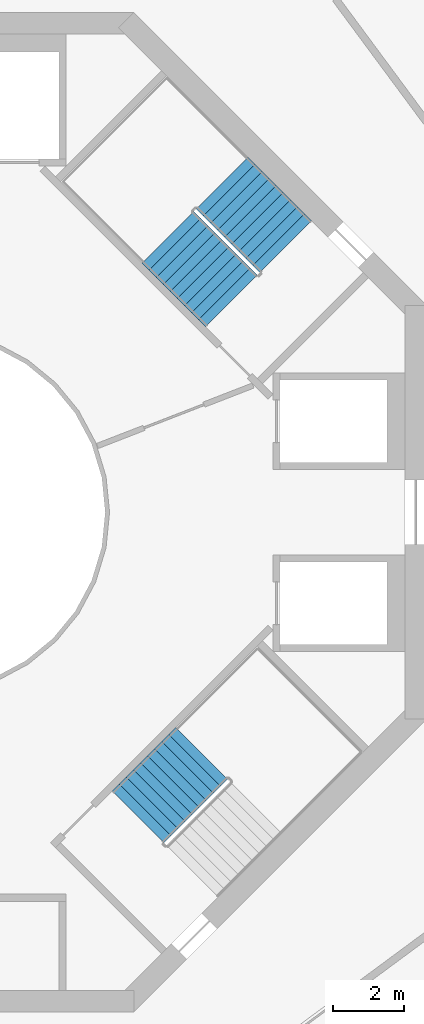
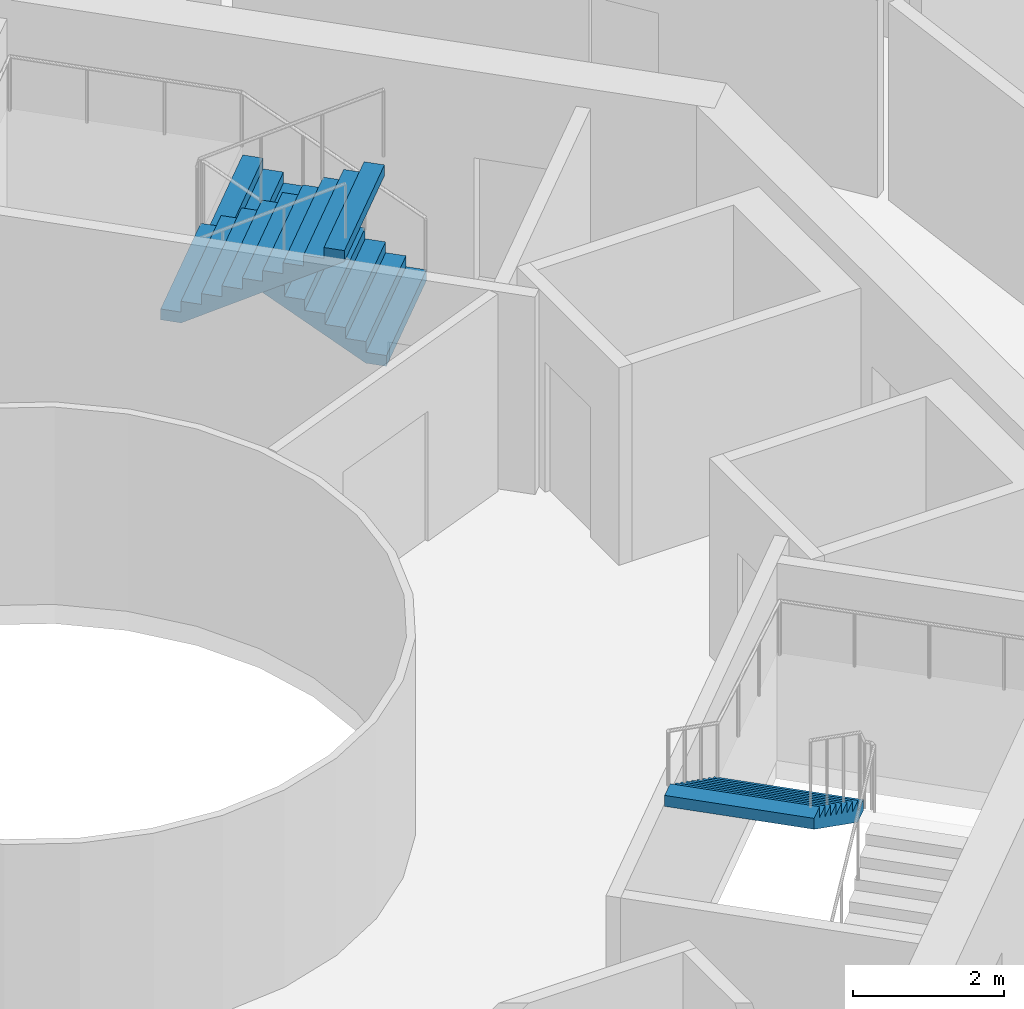
# One storey, part 22 of 23: 3 stair flights, 2 elements without a shape of their own.
"""IFC4 building model written with IfcOpenShell, lengths in metres."""

from ifc_helpers import new_model, si_unit, direction, frame, origin, place, context, subcontext, project, spatial, triangles, material, type_object, element, aggregate, save


model = new_model("IFC4")

# Units and contexts
model_context = context("Model", 3, precision=1e-05, world=origin(), true_north=direction((0.0, 1.0)))
body_context = subcontext(model_context, "Body", "Model", "MODEL_VIEW")
ifc_project = project(units=[si_unit("LENGTHUNIT", "METRE"), si_unit("AREAUNIT", "SQUARE_METRE"), si_unit("VOLUMEUNIT", "CUBIC_METRE"), si_unit("PLANEANGLEUNIT", "RADIAN"), si_unit("MASSUNIT", "GRAM", prefix="KILO")], contexts=[model_context])

# Site, building, storey
site_placement = place(None, origin())
site = spatial("IfcSite", under=ifc_project, at=site_placement, CompositionType="ELEMENT")
building_placement = place(site_placement, origin())
building = spatial("IfcBuilding", under=site, at=building_placement, Name="Verdalira Terraces Hotel", CompositionType="ELEMENT")
storey_placement = place(building_placement, frame((0.0, 0.0, 183.5)))
storey = spatial("IfcBuildingStorey", under=building, at=storey_placement, Name="L44", CompositionType="ELEMENT", Elevation=183.5)

# Stair, stair flights
ifc_material_1 = material(Name="Concrete C40", Category="concrete")
stair_type = type_object("IfcStairType", Name="Core stair 20 risers 2050 mm wide", PredefinedType="HALF_TURN_STAIR", material=ifc_material_1)
stair_1_placement = place(storey_placement, origin())
stair_1 = element("IfcStair", 1, at=stair_1_placement, inside=storey, type_object=stair_type, Name="L44 Exit stair ST1", PredefinedType="HALF_TURN_STAIR")
ifc_material_2 = material(Name="Concrete C40", Category="concrete")
stair_flight_type = type_object("IfcStairFlightType", Name="Core stair flight 20 risers 2050 mm wide", PredefinedType="STRAIGHT", material=ifc_material_2)
stair_flight_1_placement = place(storey_placement, frame((10.058594, 7.442383, 0.0), z_axis=(0.0, 0.0, 1.0), x_axis=(-0.707106781, 0.707106781, 0.0)))
stair_flight_1 = element("IfcStairFlight", 2, at=stair_flight_1_placement, type_object=stair_flight_type, Name="ST1 flight 1", NumberOfRisers=10, NumberOfTreads=9, PredefinedType="STRAIGHT", RiserHeight=0.175, TreadLength=0.28, context=body_context, shape_type="Tessellation", body=[
    triangles([(0.0, 1.025024, 0.0), (0.282715, 1.025024, 0.0), (2.52002, 1.025024, 1.398193), (0.0, -1.025024, 0.0), (0.282715, -1.025024, 0.0), (2.52002, -1.025024, 1.398193), (2.52002, 1.025024, 1.574951), (2.23999, 1.025024, 1.574951), (2.52002, -1.025024, 1.574951), (2.23999, -1.025024, 1.574951), (2.23999, 1.025024, 1.399902), (2.23999, -1.025024, 1.399902), (1.959961, 1.025024, 1.399902), (1.959961, -1.025024, 1.399902), (1.959961, 1.025024, 1.225098), (1.959961, -1.025024, 1.225098), (1.679932, 1.025024, 1.225098), (1.679932, 1.025024, 1.050049), (1.679932, -1.025024, 1.225098), (1.679932, -1.025024, 1.050049), (1.399902, 1.025024, 1.050049), (1.399902, 1.025024, 0.875), (1.399902, -1.025024, 1.050049), (1.399902, -1.025024, 0.875), (1.120117, 1.025024, 0.875), (1.120117, 1.025024, 0.699951), (1.120117, -1.025024, 0.875), (1.120117, -1.025024, 0.699951), (0.840088, 1.025024, 0.699951), (0.840088, 1.025024, 0.524902), (0.840088, -1.025024, 0.699951), (0.840088, -1.025024, 0.524902), (0.560059, 1.025024, 0.524902), (0.560059, 1.025024, 0.350098), (0.560059, -1.025024, 0.524902), (0.560059, -1.025024, 0.350098), (0.280029, 1.025024, 0.350098), (0.280029, 1.025024, 0.175049), (0.280029, -1.025024, 0.350098), (0.280029, -1.025024, 0.175049), (0.0, 1.025024, 0.175049), (0.0, -1.025024, 0.175049), (0.0, -0.96096, 0.0), (0.0, -0.96096, 0.175049), (0.0, -0.896896, 0.0), (0.0, -0.896896, 0.175049), (0.0, -0.832832, 0.0), (0.0, -0.832832, 0.175049), (0.0, -0.768768, 0.0), (0.0, -0.768768, 0.175049), (0.0, -0.704704, 0.0), (0.0, -0.704704, 0.175049), (0.0, -0.64064, 0.0), (0.0, -0.64064, 0.175049), (0.0, -0.576576, 0.0), (0.0, -0.576576, 0.175049), (0.0, -0.512512, 0.0), (0.0, -0.512512, 0.175049), (0.0, -0.448448, 0.0), (0.0, -0.448448, 0.175049), (0.0, -0.384384, 0.0), (0.0, -0.384384, 0.175049), (0.0, -0.32032, 0.0), (0.0, -0.32032, 0.175049), (0.0, -0.256256, 0.0), (0.0, -0.256256, 0.175049), (0.0, -0.192192, 0.0), (0.0, -0.192192, 0.175049), (0.0, -0.128128, 0.0), (0.0, -0.128128, 0.175049), (0.0, -0.064064, 0.0), (0.0, -0.064064, 0.175049), (0.0, 0.0, 0.0), (0.0, 0.0, 0.175049), (0.0, 0.064064, 0.0), (0.0, 0.064064, 0.175049), (0.0, 0.128128, 0.0), (0.0, 0.128128, 0.175049), (0.0, 0.192192, 0.0), (0.0, 0.192192, 0.175049), (0.0, 0.256256, 0.0), (0.0, 0.256256, 0.175049), (0.0, 0.32032, 0.0), (0.0, 0.32032, 0.175049), (0.0, 0.384384, 0.0), (0.0, 0.384384, 0.175049), (0.0, 0.448448, 0.0), (0.0, 0.448448, 0.175049), (0.0, 0.512512, 0.0), (0.0, 0.512512, 0.175049), (0.0, 0.576576, 0.0), (0.0, 0.576576, 0.175049), (0.0, 0.64064, 0.0), (0.0, 0.64064, 0.175049), (0.0, 0.704704, 0.0), (0.0, 0.704704, 0.175049), (0.0, 0.768768, 0.0), (0.0, 0.768768, 0.175049), (0.0, 0.832832, 0.0), (0.0, 0.832832, 0.175049), (0.0, 0.896896, 0.0), (0.0, 0.896896, 0.175049), (0.0, 0.96096, 0.0), (0.0, 0.96096, 0.175049), (2.52002, -0.96096, 1.574951), (2.52002, -0.896896, 1.574951), (2.52002, -0.832832, 1.574951), (2.52002, -0.768768, 1.574951), (2.52002, -0.704704, 1.574951), (2.52002, -0.64064, 1.574951), (2.52002, -0.576576, 1.574951), (2.52002, -0.512512, 1.574951), (2.52002, -0.448448, 1.574951), (2.52002, -0.384384, 1.574951), (2.52002, -0.32032, 1.574951), (2.52002, -0.256256, 1.574951), (2.52002, -0.192192, 1.574951), (2.52002, -0.128128, 1.574951), (2.52002, -0.064064, 1.574951), (2.52002, 0.0, 1.574951), (2.52002, 0.064064, 1.574951), (2.52002, 0.128128, 1.574951), (2.52002, 0.192192, 1.574951), (2.52002, 0.256256, 1.574951), (2.52002, 0.32032, 1.574951), (2.52002, 0.384384, 1.574951), (2.52002, 0.448448, 1.574951), (2.52002, 0.512512, 1.574951), (2.52002, 0.576576, 1.574951), (2.52002, 0.64064, 1.574951), (2.52002, 0.704704, 1.574951), (2.52002, 0.768768, 1.574951), (2.52002, 0.832832, 1.574951), (2.52002, 0.896896, 1.574951), (2.52002, 0.96096, 1.574951), (2.52002, -0.96096, 1.398193), (2.52002, -0.896896, 1.398193), (2.52002, -0.832832, 1.398193), (2.52002, -0.768768, 1.398193), (2.52002, -0.704704, 1.398193), (2.52002, -0.64064, 1.398193), (2.52002, -0.576576, 1.398193), (2.52002, -0.512512, 1.398193), (2.52002, -0.448448, 1.398193), (2.52002, -0.384384, 1.398193), (2.52002, -0.32032, 1.398193), (2.52002, -0.256256, 1.398193), (2.52002, -0.192192, 1.398193), (2.52002, -0.128128, 1.398193), (2.52002, -0.064064, 1.398193), (2.52002, 0.0, 1.398193), (2.52002, 0.064064, 1.398193), (2.52002, 0.128128, 1.398193), (2.52002, 0.192192, 1.398193), (2.52002, 0.256256, 1.398193), (2.52002, 0.32032, 1.398193), (2.52002, 0.384384, 1.398193), (2.52002, 0.448448, 1.398193), (2.52002, 0.512512, 1.398193), (2.52002, 0.576576, 1.398193), (2.52002, 0.64064, 1.398193), (2.52002, 0.704704, 1.398193), (2.52002, 0.768768, 1.398193), (2.52002, 0.832832, 1.398193), (2.52002, 0.896896, 1.398193), (2.52002, 0.96096, 1.398193)], [[1, 3, 2], [4, 5, 6], [3, 8, 7], [6, 9, 10], [3, 11, 8], [6, 10, 12], [3, 13, 11], [6, 12, 14], [3, 15, 13], [6, 14, 16], [15, 18, 17], [16, 19, 20], [3, 18, 15], [6, 16, 20], [18, 22, 21], [20, 23, 24], [3, 22, 18], [6, 20, 24], [22, 26, 25], [24, 27, 28], [3, 26, 22], [6, 24, 28], [26, 30, 29], [28, 31, 32], [3, 30, 26], [6, 28, 32], [1, 30, 3], [4, 6, 32], [30, 34, 33], [32, 35, 36], [34, 38, 37], [36, 39, 40], [30, 38, 34], [32, 36, 40], [1, 38, 30], [4, 32, 40], [38, 1, 41], [40, 42, 4], [4, 44, 43], [4, 42, 44], [43, 46, 45], [43, 44, 46], [45, 48, 47], [45, 46, 48], [47, 50, 49], [47, 48, 50], [49, 52, 51], [49, 50, 52], [51, 54, 53], [51, 52, 54], [53, 56, 55], [53, 54, 56], [55, 58, 57], [55, 56, 58], [57, 60, 59], [57, 58, 60], [59, 62, 61], [59, 60, 62], [61, 64, 63], [61, 62, 64], [63, 66, 65], [63, 64, 66], [65, 68, 67], [65, 66, 68], [67, 70, 69], [67, 68, 70], [69, 72, 71], [69, 70, 72], [71, 74, 73], [71, 72, 74], [73, 76, 75], [73, 74, 76], [75, 78, 77], [75, 76, 78], [77, 80, 79], [77, 78, 80], [79, 82, 81], [79, 80, 82], [81, 84, 83], [81, 82, 84], [83, 86, 85], [83, 84, 86], [85, 88, 87], [85, 86, 88], [87, 90, 89], [87, 88, 90], [89, 92, 91], [89, 90, 92], [91, 94, 93], [91, 92, 94], [93, 96, 95], [93, 94, 96], [95, 98, 97], [95, 96, 98], [97, 100, 99], [97, 98, 100], [99, 102, 101], [99, 100, 102], [101, 104, 103], [101, 102, 104], [103, 41, 1], [103, 104, 41], [42, 40, 44], [44, 40, 46], [46, 40, 48], [48, 40, 50], [50, 40, 52], [52, 40, 54], [54, 40, 56], [56, 40, 58], [58, 40, 60], [60, 40, 62], [62, 40, 64], [64, 40, 66], [66, 40, 68], [68, 40, 70], [70, 40, 72], [72, 40, 74], [74, 40, 76], [76, 40, 78], [78, 40, 80], [80, 40, 82], [82, 40, 84], [84, 40, 86], [86, 40, 88], [88, 40, 90], [90, 40, 92], [92, 40, 94], [94, 40, 96], [96, 40, 98], [98, 40, 100], [100, 40, 102], [102, 40, 104], [104, 40, 41], [41, 40, 38], [40, 37, 38], [40, 39, 37], [39, 34, 37], [39, 36, 34], [36, 33, 34], [36, 35, 33], [35, 30, 33], [35, 32, 30], [32, 29, 30], [32, 31, 29], [31, 26, 29], [31, 28, 26], [28, 25, 26], [28, 27, 25], [27, 22, 25], [27, 24, 22], [24, 21, 22], [24, 23, 21], [23, 18, 21], [23, 20, 18], [20, 17, 18], [20, 19, 17], [19, 15, 17], [19, 16, 15], [16, 13, 15], [16, 14, 13], [14, 11, 13], [14, 12, 11], [12, 8, 11], [12, 10, 8], [9, 105, 10], [105, 106, 10], [106, 107, 10], [107, 108, 10], [108, 109, 10], [109, 110, 10], [110, 111, 10], [111, 112, 10], [112, 113, 10], [113, 114, 10], [114, 115, 10], [115, 116, 10], [116, 117, 10], [117, 118, 10], [118, 119, 10], [119, 120, 10], [120, 121, 10], [121, 122, 10], [122, 123, 10], [123, 124, 10], [124, 125, 10], [125, 126, 10], [126, 127, 10], [127, 128, 10], [128, 129, 10], [129, 130, 10], [130, 131, 10], [131, 132, 10], [132, 133, 10], [133, 134, 10], [134, 135, 10], [135, 7, 10], [7, 8, 10], [9, 136, 105], [9, 6, 136], [105, 137, 106], [105, 136, 137], [106, 138, 107], [106, 137, 138], [107, 139, 108], [107, 138, 139], [108, 140, 109], [108, 139, 140], [109, 141, 110], [109, 140, 141], [110, 142, 111], [110, 141, 142], [111, 143, 112], [111, 142, 143], [112, 144, 113], [112, 143, 144], [113, 145, 114], [113, 144, 145], [114, 146, 115], [114, 145, 146], [115, 147, 116], [115, 146, 147], [116, 148, 117], [116, 147, 148], [117, 149, 118], [117, 148, 149], [118, 150, 119], [118, 149, 150], [119, 151, 120], [119, 150, 151], [120, 152, 121], [120, 151, 152], [121, 153, 122], [121, 152, 153], [122, 154, 123], [122, 153, 154], [123, 155, 124], [123, 154, 155], [124, 156, 125], [124, 155, 156], [125, 157, 126], [125, 156, 157], [126, 158, 127], [126, 157, 158], [127, 159, 128], [127, 158, 159], [128, 160, 129], [128, 159, 160], [129, 161, 130], [129, 160, 161], [130, 162, 131], [130, 161, 162], [131, 163, 132], [131, 162, 163], [132, 164, 133], [132, 163, 164], [133, 165, 134], [133, 164, 165], [134, 166, 135], [134, 165, 166], [135, 3, 7], [135, 166, 3], [6, 5, 136], [136, 5, 137], [137, 5, 138], [138, 5, 139], [139, 5, 140], [140, 5, 141], [141, 5, 142], [142, 5, 143], [143, 5, 144], [144, 5, 145], [145, 5, 146], [146, 5, 147], [147, 5, 148], [148, 5, 149], [149, 5, 150], [150, 5, 151], [151, 5, 152], [152, 5, 153], [153, 5, 154], [154, 5, 155], [155, 5, 156], [156, 5, 157], [157, 5, 158], [158, 5, 159], [159, 5, 160], [160, 5, 161], [161, 5, 162], [162, 5, 163], [163, 5, 164], [164, 5, 165], [165, 5, 166], [166, 5, 3], [3, 5, 2], [4, 43, 5], [43, 45, 5], [45, 47, 5], [47, 49, 5], [49, 51, 5], [51, 53, 5], [53, 55, 5], [55, 57, 5], [57, 59, 5], [59, 61, 5], [61, 63, 5], [63, 65, 5], [65, 67, 5], [67, 69, 5], [69, 71, 5], [71, 73, 5], [73, 75, 5], [75, 77, 5], [77, 79, 5], [79, 81, 5], [81, 83, 5], [83, 85, 5], [85, 87, 5], [87, 89, 5], [89, 91, 5], [91, 93, 5], [93, 95, 5], [95, 97, 5], [97, 99, 5], [99, 101, 5], [101, 103, 5], [103, 1, 5], [1, 2, 5]], closed=True),
])
stair_flight_2_placement = place(storey_placement, frame((6.756348, 7.703857, 1.75), z_axis=(0.0, 0.0, 1.0), x_axis=(0.707106781, -0.707106781, 0.0)))
stair_flight_2 = element("IfcStairFlight", 3, at=stair_flight_2_placement, type_object=stair_flight_type, Name="ST1 flight 2", NumberOfRisers=10, NumberOfTreads=9, PredefinedType="STRAIGHT", RiserHeight=0.175, TreadLength=0.28, context=body_context, shape_type="Tessellation", body=[
    triangles([(0.0, 1.025024, 0.0), (0.282715, 1.025024, 0.0), (2.52002, 1.025024, 1.398193), (0.0, -1.025024, 0.0), (0.282715, -1.025024, 0.0), (2.52002, -1.025024, 1.398193), (2.52002, 1.025024, 1.574951), (2.23999, 1.025024, 1.574951), (2.52002, -1.025024, 1.574951), (2.23999, -1.025024, 1.574951), (2.23999, 1.025024, 1.399902), (2.23999, -1.025024, 1.399902), (1.959961, 1.025024, 1.399902), (1.959961, -1.025024, 1.399902), (1.959961, 1.025024, 1.225098), (1.959961, -1.025024, 1.225098), (1.679932, 1.025024, 1.225098), (1.679932, 1.025024, 1.050049), (1.679932, -1.025024, 1.225098), (1.679932, -1.025024, 1.050049), (1.399902, 1.025024, 1.050049), (1.399902, 1.025024, 0.875), (1.399902, -1.025024, 1.050049), (1.399902, -1.025024, 0.875), (1.120117, 1.025024, 0.875), (1.120117, 1.025024, 0.699951), (1.120117, -1.025024, 0.875), (1.120117, -1.025024, 0.699951), (0.840088, 1.025024, 0.699951), (0.840088, 1.025024, 0.524902), (0.840088, -1.025024, 0.699951), (0.840088, -1.025024, 0.524902), (0.560059, 1.025024, 0.524902), (0.560059, 1.025024, 0.350098), (0.560059, -1.025024, 0.524902), (0.560059, -1.025024, 0.350098), (0.280029, 1.025024, 0.350098), (0.280029, 1.025024, 0.175049), (0.280029, -1.025024, 0.350098), (0.280029, -1.025024, 0.175049), (0.0, 1.025024, 0.175049), (0.0, -1.025024, 0.175049), (0.0, -0.96096, 0.0), (0.0, -0.96096, 0.175049), (0.0, -0.896896, 0.0), (0.0, -0.896896, 0.175049), (0.0, -0.832832, 0.0), (0.0, -0.832832, 0.175049), (0.0, -0.768768, 0.0), (0.0, -0.768768, 0.175049), (0.0, -0.704704, 0.0), (0.0, -0.704704, 0.175049), (0.0, -0.64064, 0.0), (0.0, -0.64064, 0.175049), (0.0, -0.576576, 0.0), (0.0, -0.576576, 0.175049), (0.0, -0.512512, 0.0), (0.0, -0.512512, 0.175049), (0.0, -0.448448, 0.0), (0.0, -0.448448, 0.175049), (0.0, -0.384384, 0.0), (0.0, -0.384384, 0.175049), (0.0, -0.32032, 0.0), (0.0, -0.32032, 0.175049), (0.0, -0.256256, 0.0), (0.0, -0.256256, 0.175049), (0.0, -0.192192, 0.0), (0.0, -0.192192, 0.175049), (0.0, -0.128128, 0.0), (0.0, -0.128128, 0.175049), (0.0, -0.064064, 0.0), (0.0, -0.064064, 0.175049), (0.0, 0.0, 0.0), (0.0, 0.0, 0.175049), (0.0, 0.064064, 0.0), (0.0, 0.064064, 0.175049), (0.0, 0.128128, 0.0), (0.0, 0.128128, 0.175049), (0.0, 0.192192, 0.0), (0.0, 0.192192, 0.175049), (0.0, 0.256256, 0.0), (0.0, 0.256256, 0.175049), (0.0, 0.32032, 0.0), (0.0, 0.32032, 0.175049), (0.0, 0.384384, 0.0), (0.0, 0.384384, 0.175049), (0.0, 0.448448, 0.0), (0.0, 0.448448, 0.175049), (0.0, 0.512512, 0.0), (0.0, 0.512512, 0.175049), (0.0, 0.576576, 0.0), (0.0, 0.576576, 0.175049), (0.0, 0.64064, 0.0), (0.0, 0.64064, 0.175049), (0.0, 0.704704, 0.0), (0.0, 0.704704, 0.175049), (0.0, 0.768768, 0.0), (0.0, 0.768768, 0.175049), (0.0, 0.832832, 0.0), (0.0, 0.832832, 0.175049), (0.0, 0.896896, 0.0), (0.0, 0.896896, 0.175049), (0.0, 0.96096, 0.0), (0.0, 0.96096, 0.175049), (2.52002, -0.96096, 1.574951), (2.52002, -0.896896, 1.574951), (2.52002, -0.832832, 1.574951), (2.52002, -0.768768, 1.574951), (2.52002, -0.704704, 1.574951), (2.52002, -0.64064, 1.574951), (2.52002, -0.576576, 1.574951), (2.52002, -0.512512, 1.574951), (2.52002, -0.448448, 1.574951), (2.52002, -0.384384, 1.574951), (2.52002, -0.32032, 1.574951), (2.52002, -0.256256, 1.574951), (2.52002, -0.192192, 1.574951), (2.52002, -0.128128, 1.574951), (2.52002, -0.064064, 1.574951), (2.52002, 0.0, 1.574951), (2.52002, 0.064064, 1.574951), (2.52002, 0.128128, 1.574951), (2.52002, 0.192192, 1.574951), (2.52002, 0.256256, 1.574951), (2.52002, 0.32032, 1.574951), (2.52002, 0.384384, 1.574951), (2.52002, 0.448448, 1.574951), (2.52002, 0.512512, 1.574951), (2.52002, 0.576576, 1.574951), (2.52002, 0.64064, 1.574951), (2.52002, 0.704704, 1.574951), (2.52002, 0.768768, 1.574951), (2.52002, 0.832832, 1.574951), (2.52002, 0.896896, 1.574951), (2.52002, 0.96096, 1.574951), (2.52002, -0.96096, 1.398193), (2.52002, -0.896896, 1.398193), (2.52002, -0.832832, 1.398193), (2.52002, -0.768768, 1.398193), (2.52002, -0.704704, 1.398193), (2.52002, -0.64064, 1.398193), (2.52002, -0.576576, 1.398193), (2.52002, -0.512512, 1.398193), (2.52002, -0.448448, 1.398193), (2.52002, -0.384384, 1.398193), (2.52002, -0.32032, 1.398193), (2.52002, -0.256256, 1.398193), (2.52002, -0.192192, 1.398193), (2.52002, -0.128128, 1.398193), (2.52002, -0.064064, 1.398193), (2.52002, 0.0, 1.398193), (2.52002, 0.064064, 1.398193), (2.52002, 0.128128, 1.398193), (2.52002, 0.192192, 1.398193), (2.52002, 0.256256, 1.398193), (2.52002, 0.32032, 1.398193), (2.52002, 0.384384, 1.398193), (2.52002, 0.448448, 1.398193), (2.52002, 0.512512, 1.398193), (2.52002, 0.576576, 1.398193), (2.52002, 0.64064, 1.398193), (2.52002, 0.704704, 1.398193), (2.52002, 0.768768, 1.398193), (2.52002, 0.832832, 1.398193), (2.52002, 0.896896, 1.398193), (2.52002, 0.96096, 1.398193)], [[1, 3, 2], [4, 5, 6], [3, 8, 7], [6, 9, 10], [3, 11, 8], [6, 10, 12], [3, 13, 11], [6, 12, 14], [3, 15, 13], [6, 14, 16], [15, 18, 17], [16, 19, 20], [3, 18, 15], [6, 16, 20], [18, 22, 21], [20, 23, 24], [3, 22, 18], [6, 20, 24], [22, 26, 25], [24, 27, 28], [3, 26, 22], [6, 24, 28], [26, 30, 29], [28, 31, 32], [3, 30, 26], [6, 28, 32], [1, 30, 3], [4, 6, 32], [30, 34, 33], [32, 35, 36], [34, 38, 37], [36, 39, 40], [30, 38, 34], [32, 36, 40], [1, 38, 30], [4, 32, 40], [38, 1, 41], [40, 42, 4], [4, 44, 43], [4, 42, 44], [43, 46, 45], [43, 44, 46], [45, 48, 47], [45, 46, 48], [47, 50, 49], [47, 48, 50], [49, 52, 51], [49, 50, 52], [51, 54, 53], [51, 52, 54], [53, 56, 55], [53, 54, 56], [55, 58, 57], [55, 56, 58], [57, 60, 59], [57, 58, 60], [59, 62, 61], [59, 60, 62], [61, 64, 63], [61, 62, 64], [63, 66, 65], [63, 64, 66], [65, 68, 67], [65, 66, 68], [67, 70, 69], [67, 68, 70], [69, 72, 71], [69, 70, 72], [71, 74, 73], [71, 72, 74], [73, 76, 75], [73, 74, 76], [75, 78, 77], [75, 76, 78], [77, 80, 79], [77, 78, 80], [79, 82, 81], [79, 80, 82], [81, 84, 83], [81, 82, 84], [83, 86, 85], [83, 84, 86], [85, 88, 87], [85, 86, 88], [87, 90, 89], [87, 88, 90], [89, 92, 91], [89, 90, 92], [91, 94, 93], [91, 92, 94], [93, 96, 95], [93, 94, 96], [95, 98, 97], [95, 96, 98], [97, 100, 99], [97, 98, 100], [99, 102, 101], [99, 100, 102], [101, 104, 103], [101, 102, 104], [103, 41, 1], [103, 104, 41], [42, 40, 44], [44, 40, 46], [46, 40, 48], [48, 40, 50], [50, 40, 52], [52, 40, 54], [54, 40, 56], [56, 40, 58], [58, 40, 60], [60, 40, 62], [62, 40, 64], [64, 40, 66], [66, 40, 68], [68, 40, 70], [70, 40, 72], [72, 40, 74], [74, 40, 76], [76, 40, 78], [78, 40, 80], [80, 40, 82], [82, 40, 84], [84, 40, 86], [86, 40, 88], [88, 40, 90], [90, 40, 92], [92, 40, 94], [94, 40, 96], [96, 40, 98], [98, 40, 100], [100, 40, 102], [102, 40, 104], [104, 40, 41], [41, 40, 38], [40, 37, 38], [40, 39, 37], [39, 34, 37], [39, 36, 34], [36, 33, 34], [36, 35, 33], [35, 30, 33], [35, 32, 30], [32, 29, 30], [32, 31, 29], [31, 26, 29], [31, 28, 26], [28, 25, 26], [28, 27, 25], [27, 22, 25], [27, 24, 22], [24, 21, 22], [24, 23, 21], [23, 18, 21], [23, 20, 18], [20, 17, 18], [20, 19, 17], [19, 15, 17], [19, 16, 15], [16, 13, 15], [16, 14, 13], [14, 11, 13], [14, 12, 11], [12, 8, 11], [12, 10, 8], [9, 105, 10], [105, 106, 10], [106, 107, 10], [107, 108, 10], [108, 109, 10], [109, 110, 10], [110, 111, 10], [111, 112, 10], [112, 113, 10], [113, 114, 10], [114, 115, 10], [115, 116, 10], [116, 117, 10], [117, 118, 10], [118, 119, 10], [119, 120, 10], [120, 121, 10], [121, 122, 10], [122, 123, 10], [123, 124, 10], [124, 125, 10], [125, 126, 10], [126, 127, 10], [127, 128, 10], [128, 129, 10], [129, 130, 10], [130, 131, 10], [131, 132, 10], [132, 133, 10], [133, 134, 10], [134, 135, 10], [135, 7, 10], [7, 8, 10], [9, 136, 105], [9, 6, 136], [105, 137, 106], [105, 136, 137], [106, 138, 107], [106, 137, 138], [107, 139, 108], [107, 138, 139], [108, 140, 109], [108, 139, 140], [109, 141, 110], [109, 140, 141], [110, 142, 111], [110, 141, 142], [111, 143, 112], [111, 142, 143], [112, 144, 113], [112, 143, 144], [113, 145, 114], [113, 144, 145], [114, 146, 115], [114, 145, 146], [115, 147, 116], [115, 146, 147], [116, 148, 117], [116, 147, 148], [117, 149, 118], [117, 148, 149], [118, 150, 119], [118, 149, 150], [119, 151, 120], [119, 150, 151], [120, 152, 121], [120, 151, 152], [121, 153, 122], [121, 152, 153], [122, 154, 123], [122, 153, 154], [123, 155, 124], [123, 154, 155], [124, 156, 125], [124, 155, 156], [125, 157, 126], [125, 156, 157], [126, 158, 127], [126, 157, 158], [127, 159, 128], [127, 158, 159], [128, 160, 129], [128, 159, 160], [129, 161, 130], [129, 160, 161], [130, 162, 131], [130, 161, 162], [131, 163, 132], [131, 162, 163], [132, 164, 133], [132, 163, 164], [133, 165, 134], [133, 164, 165], [134, 166, 135], [134, 165, 166], [135, 3, 7], [135, 166, 3], [6, 5, 136], [136, 5, 137], [137, 5, 138], [138, 5, 139], [139, 5, 140], [140, 5, 141], [141, 5, 142], [142, 5, 143], [143, 5, 144], [144, 5, 145], [145, 5, 146], [146, 5, 147], [147, 5, 148], [148, 5, 149], [149, 5, 150], [150, 5, 151], [151, 5, 152], [152, 5, 153], [153, 5, 154], [154, 5, 155], [155, 5, 156], [156, 5, 157], [157, 5, 158], [158, 5, 159], [159, 5, 160], [160, 5, 161], [161, 5, 162], [162, 5, 163], [163, 5, 164], [164, 5, 165], [165, 5, 166], [166, 5, 3], [3, 5, 2], [4, 43, 5], [43, 45, 5], [45, 47, 5], [47, 49, 5], [49, 51, 5], [51, 53, 5], [53, 55, 5], [55, 57, 5], [57, 59, 5], [59, 61, 5], [61, 63, 5], [63, 65, 5], [65, 67, 5], [67, 69, 5], [69, 71, 5], [71, 73, 5], [73, 75, 5], [75, 77, 5], [77, 79, 5], [79, 81, 5], [81, 83, 5], [83, 85, 5], [85, 87, 5], [87, 89, 5], [89, 91, 5], [91, 93, 5], [93, 95, 5], [95, 97, 5], [97, 99, 5], [99, 101, 5], [101, 103, 5], [103, 1, 5], [1, 2, 5]], closed=True),
])
aggregate(stair_1, [stair_flight_1, stair_flight_2])

# Stair, stair flight
stair_2_placement = place(storey_placement, origin())
stair_2 = element("IfcStair", 4, at=stair_2_placement, inside=storey, type_object=stair_type, Name="L44 Exit stair ST3", PredefinedType="HALF_TURN_STAIR")
stair_flight_3_placement = place(storey_placement, frame((7.703857, -6.756348, 1.75), z_axis=(0.0, 0.0, 1.0), x_axis=(-0.707106781, -0.707106781, 0.0)))
stair_flight_3 = element("IfcStairFlight", 5, at=stair_flight_3_placement, type_object=stair_flight_type, Name="ST3 flight 2", NumberOfRisers=10, NumberOfTreads=9, PredefinedType="STRAIGHT", RiserHeight=0.175, TreadLength=0.28, context=body_context, shape_type="Tessellation", body=[
    triangles([(0.0, 1.025024, 0.0), (0.282715, 1.025024, 0.0), (2.52002, 1.025024, 1.398193), (0.0, -1.025024, 0.0), (0.282715, -1.025024, 0.0), (2.52002, -1.025024, 1.398193), (2.52002, 1.025024, 1.574951), (2.23999, 1.025024, 1.574951), (2.52002, -1.025024, 1.574951), (2.23999, -1.025024, 1.574951), (2.23999, 1.025024, 1.399902), (2.23999, -1.025024, 1.399902), (1.959961, 1.025024, 1.399902), (1.959961, -1.025024, 1.399902), (1.959961, 1.025024, 1.225098), (1.959961, -1.025024, 1.225098), (1.679932, 1.025024, 1.225098), (1.679932, 1.025024, 1.050049), (1.679932, -1.025024, 1.225098), (1.679932, -1.025024, 1.050049), (1.399902, 1.025024, 1.050049), (1.399902, 1.025024, 0.875), (1.399902, -1.025024, 1.050049), (1.399902, -1.025024, 0.875), (1.120117, 1.025024, 0.875), (1.120117, 1.025024, 0.699951), (1.120117, -1.025024, 0.875), (1.120117, -1.025024, 0.699951), (0.840088, 1.025024, 0.699951), (0.840088, 1.025024, 0.524902), (0.840088, -1.025024, 0.699951), (0.840088, -1.025024, 0.524902), (0.560059, 1.025024, 0.524902), (0.560059, 1.025024, 0.350098), (0.560059, -1.025024, 0.524902), (0.560059, -1.025024, 0.350098), (0.280029, 1.025024, 0.350098), (0.280029, 1.025024, 0.175049), (0.280029, -1.025024, 0.350098), (0.280029, -1.025024, 0.175049), (0.0, 1.025024, 0.175049), (0.0, -1.025024, 0.175049), (0.0, -0.96096, 0.0), (0.0, -0.96096, 0.175049), (0.0, -0.896896, 0.0), (0.0, -0.896896, 0.175049), (0.0, -0.832832, 0.0), (0.0, -0.832832, 0.175049), (0.0, -0.768768, 0.0), (0.0, -0.768768, 0.175049), (0.0, -0.704704, 0.0), (0.0, -0.704704, 0.175049), (0.0, -0.64064, 0.0), (0.0, -0.64064, 0.175049), (0.0, -0.576576, 0.0), (0.0, -0.576576, 0.175049), (0.0, -0.512512, 0.0), (0.0, -0.512512, 0.175049), (0.0, -0.448448, 0.0), (0.0, -0.448448, 0.175049), (0.0, -0.384384, 0.0), (0.0, -0.384384, 0.175049), (0.0, -0.32032, 0.0), (0.0, -0.32032, 0.175049), (0.0, -0.256256, 0.0), (0.0, -0.256256, 0.175049), (0.0, -0.192192, 0.0), (0.0, -0.192192, 0.175049), (0.0, -0.128128, 0.0), (0.0, -0.128128, 0.175049), (0.0, -0.064064, 0.0), (0.0, -0.064064, 0.175049), (0.0, 0.0, 0.0), (0.0, 0.0, 0.175049), (0.0, 0.064064, 0.0), (0.0, 0.064064, 0.175049), (0.0, 0.128128, 0.0), (0.0, 0.128128, 0.175049), (0.0, 0.192192, 0.0), (0.0, 0.192192, 0.175049), (0.0, 0.256256, 0.0), (0.0, 0.256256, 0.175049), (0.0, 0.32032, 0.0), (0.0, 0.32032, 0.175049), (0.0, 0.384384, 0.0), (0.0, 0.384384, 0.175049), (0.0, 0.448448, 0.0), (0.0, 0.448448, 0.175049), (0.0, 0.512512, 0.0), (0.0, 0.512512, 0.175049), (0.0, 0.576576, 0.0), (0.0, 0.576576, 0.175049), (0.0, 0.64064, 0.0), (0.0, 0.64064, 0.175049), (0.0, 0.704704, 0.0), (0.0, 0.704704, 0.175049), (0.0, 0.768768, 0.0), (0.0, 0.768768, 0.175049), (0.0, 0.832832, 0.0), (0.0, 0.832832, 0.175049), (0.0, 0.896896, 0.0), (0.0, 0.896896, 0.175049), (0.0, 0.96096, 0.0), (0.0, 0.96096, 0.175049), (2.52002, -0.96096, 1.574951), (2.52002, -0.896896, 1.574951), (2.52002, -0.832832, 1.574951), (2.52002, -0.768768, 1.574951), (2.52002, -0.704704, 1.574951), (2.52002, -0.64064, 1.574951), (2.52002, -0.576576, 1.574951), (2.52002, -0.512512, 1.574951), (2.52002, -0.448448, 1.574951), (2.52002, -0.384384, 1.574951), (2.52002, -0.32032, 1.574951), (2.52002, -0.256256, 1.574951), (2.52002, -0.192192, 1.574951), (2.52002, -0.128128, 1.574951), (2.52002, -0.064064, 1.574951), (2.52002, 0.0, 1.574951), (2.52002, 0.064064, 1.574951), (2.52002, 0.128128, 1.574951), (2.52002, 0.192192, 1.574951), (2.52002, 0.256256, 1.574951), (2.52002, 0.32032, 1.574951), (2.52002, 0.384384, 1.574951), (2.52002, 0.448448, 1.574951), (2.52002, 0.512512, 1.574951), (2.52002, 0.576576, 1.574951), (2.52002, 0.64064, 1.574951), (2.52002, 0.704704, 1.574951), (2.52002, 0.768768, 1.574951), (2.52002, 0.832832, 1.574951), (2.52002, 0.896896, 1.574951), (2.52002, 0.96096, 1.574951), (2.52002, -0.96096, 1.398193), (2.52002, -0.896896, 1.398193), (2.52002, -0.832832, 1.398193), (2.52002, -0.768768, 1.398193), (2.52002, -0.704704, 1.398193), (2.52002, -0.64064, 1.398193), (2.52002, -0.576576, 1.398193), (2.52002, -0.512512, 1.398193), (2.52002, -0.448448, 1.398193), (2.52002, -0.384384, 1.398193), (2.52002, -0.32032, 1.398193), (2.52002, -0.256256, 1.398193), (2.52002, -0.192192, 1.398193), (2.52002, -0.128128, 1.398193), (2.52002, -0.064064, 1.398193), (2.52002, 0.0, 1.398193), (2.52002, 0.064064, 1.398193), (2.52002, 0.128128, 1.398193), (2.52002, 0.192192, 1.398193), (2.52002, 0.256256, 1.398193), (2.52002, 0.32032, 1.398193), (2.52002, 0.384384, 1.398193), (2.52002, 0.448448, 1.398193), (2.52002, 0.512512, 1.398193), (2.52002, 0.576576, 1.398193), (2.52002, 0.64064, 1.398193), (2.52002, 0.704704, 1.398193), (2.52002, 0.768768, 1.398193), (2.52002, 0.832832, 1.398193), (2.52002, 0.896896, 1.398193), (2.52002, 0.96096, 1.398193)], [[1, 3, 2], [4, 5, 6], [3, 8, 7], [6, 9, 10], [3, 11, 8], [6, 10, 12], [3, 13, 11], [6, 12, 14], [3, 15, 13], [6, 14, 16], [15, 18, 17], [16, 19, 20], [3, 18, 15], [6, 16, 20], [18, 22, 21], [20, 23, 24], [3, 22, 18], [6, 20, 24], [22, 26, 25], [24, 27, 28], [3, 26, 22], [6, 24, 28], [26, 30, 29], [28, 31, 32], [3, 30, 26], [6, 28, 32], [1, 30, 3], [4, 6, 32], [30, 34, 33], [32, 35, 36], [34, 38, 37], [36, 39, 40], [30, 38, 34], [32, 36, 40], [1, 38, 30], [4, 32, 40], [38, 1, 41], [40, 42, 4], [4, 44, 43], [4, 42, 44], [43, 46, 45], [43, 44, 46], [45, 48, 47], [45, 46, 48], [47, 50, 49], [47, 48, 50], [49, 52, 51], [49, 50, 52], [51, 54, 53], [51, 52, 54], [53, 56, 55], [53, 54, 56], [55, 58, 57], [55, 56, 58], [57, 60, 59], [57, 58, 60], [59, 62, 61], [59, 60, 62], [61, 64, 63], [61, 62, 64], [63, 66, 65], [63, 64, 66], [65, 68, 67], [65, 66, 68], [67, 70, 69], [67, 68, 70], [69, 72, 71], [69, 70, 72], [71, 74, 73], [71, 72, 74], [73, 76, 75], [73, 74, 76], [75, 78, 77], [75, 76, 78], [77, 80, 79], [77, 78, 80], [79, 82, 81], [79, 80, 82], [81, 84, 83], [81, 82, 84], [83, 86, 85], [83, 84, 86], [85, 88, 87], [85, 86, 88], [87, 90, 89], [87, 88, 90], [89, 92, 91], [89, 90, 92], [91, 94, 93], [91, 92, 94], [93, 96, 95], [93, 94, 96], [95, 98, 97], [95, 96, 98], [97, 100, 99], [97, 98, 100], [99, 102, 101], [99, 100, 102], [101, 104, 103], [101, 102, 104], [103, 41, 1], [103, 104, 41], [42, 40, 44], [44, 40, 46], [46, 40, 48], [48, 40, 50], [50, 40, 52], [52, 40, 54], [54, 40, 56], [56, 40, 58], [58, 40, 60], [60, 40, 62], [62, 40, 64], [64, 40, 66], [66, 40, 68], [68, 40, 70], [70, 40, 72], [72, 40, 74], [74, 40, 76], [76, 40, 78], [78, 40, 80], [80, 40, 82], [82, 40, 84], [84, 40, 86], [86, 40, 88], [88, 40, 90], [90, 40, 92], [92, 40, 94], [94, 40, 96], [96, 40, 98], [98, 40, 100], [100, 40, 102], [102, 40, 104], [104, 40, 41], [41, 40, 38], [40, 37, 38], [40, 39, 37], [39, 34, 37], [39, 36, 34], [36, 33, 34], [36, 35, 33], [35, 30, 33], [35, 32, 30], [32, 29, 30], [32, 31, 29], [31, 26, 29], [31, 28, 26], [28, 25, 26], [28, 27, 25], [27, 22, 25], [27, 24, 22], [24, 21, 22], [24, 23, 21], [23, 18, 21], [23, 20, 18], [20, 17, 18], [20, 19, 17], [19, 15, 17], [19, 16, 15], [16, 13, 15], [16, 14, 13], [14, 11, 13], [14, 12, 11], [12, 8, 11], [12, 10, 8], [9, 105, 10], [105, 106, 10], [106, 107, 10], [107, 108, 10], [108, 109, 10], [109, 110, 10], [110, 111, 10], [111, 112, 10], [112, 113, 10], [113, 114, 10], [114, 115, 10], [115, 116, 10], [116, 117, 10], [117, 118, 10], [118, 119, 10], [119, 120, 10], [120, 121, 10], [121, 122, 10], [122, 123, 10], [123, 124, 10], [124, 125, 10], [125, 126, 10], [126, 127, 10], [127, 128, 10], [128, 129, 10], [129, 130, 10], [130, 131, 10], [131, 132, 10], [132, 133, 10], [133, 134, 10], [134, 135, 10], [135, 7, 10], [7, 8, 10], [9, 136, 105], [9, 6, 136], [105, 137, 106], [105, 136, 137], [106, 138, 107], [106, 137, 138], [107, 139, 108], [107, 138, 139], [108, 140, 109], [108, 139, 140], [109, 141, 110], [109, 140, 141], [110, 142, 111], [110, 141, 142], [111, 143, 112], [111, 142, 143], [112, 144, 113], [112, 143, 144], [113, 145, 114], [113, 144, 145], [114, 146, 115], [114, 145, 146], [115, 147, 116], [115, 146, 147], [116, 148, 117], [116, 147, 148], [117, 149, 118], [117, 148, 149], [118, 150, 119], [118, 149, 150], [119, 151, 120], [119, 150, 151], [120, 152, 121], [120, 151, 152], [121, 153, 122], [121, 152, 153], [122, 154, 123], [122, 153, 154], [123, 155, 124], [123, 154, 155], [124, 156, 125], [124, 155, 156], [125, 157, 126], [125, 156, 157], [126, 158, 127], [126, 157, 158], [127, 159, 128], [127, 158, 159], [128, 160, 129], [128, 159, 160], [129, 161, 130], [129, 160, 161], [130, 162, 131], [130, 161, 162], [131, 163, 132], [131, 162, 163], [132, 164, 133], [132, 163, 164], [133, 165, 134], [133, 164, 165], [134, 166, 135], [134, 165, 166], [135, 3, 7], [135, 166, 3], [6, 5, 136], [136, 5, 137], [137, 5, 138], [138, 5, 139], [139, 5, 140], [140, 5, 141], [141, 5, 142], [142, 5, 143], [143, 5, 144], [144, 5, 145], [145, 5, 146], [146, 5, 147], [147, 5, 148], [148, 5, 149], [149, 5, 150], [150, 5, 151], [151, 5, 152], [152, 5, 153], [153, 5, 154], [154, 5, 155], [155, 5, 156], [156, 5, 157], [157, 5, 158], [158, 5, 159], [159, 5, 160], [160, 5, 161], [161, 5, 162], [162, 5, 163], [163, 5, 164], [164, 5, 165], [165, 5, 166], [166, 5, 3], [3, 5, 2], [4, 43, 5], [43, 45, 5], [45, 47, 5], [47, 49, 5], [49, 51, 5], [51, 53, 5], [53, 55, 5], [55, 57, 5], [57, 59, 5], [59, 61, 5], [61, 63, 5], [63, 65, 5], [65, 67, 5], [67, 69, 5], [69, 71, 5], [71, 73, 5], [73, 75, 5], [75, 77, 5], [77, 79, 5], [79, 81, 5], [81, 83, 5], [83, 85, 5], [85, 87, 5], [87, 89, 5], [89, 91, 5], [91, 93, 5], [93, 95, 5], [95, 97, 5], [97, 99, 5], [99, 101, 5], [101, 103, 5], [103, 1, 5], [1, 2, 5]], closed=True),
])
aggregate(stair_2, [stair_flight_3])

save(model, "model.ifc")
